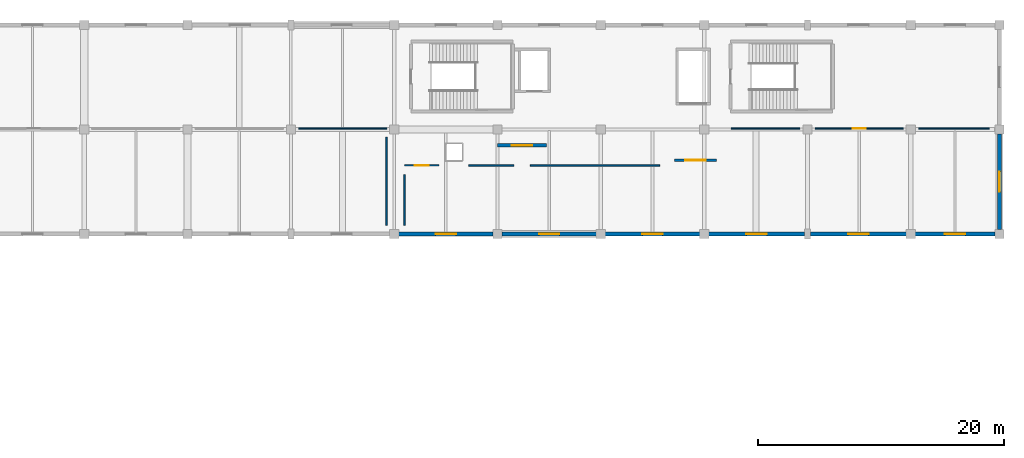
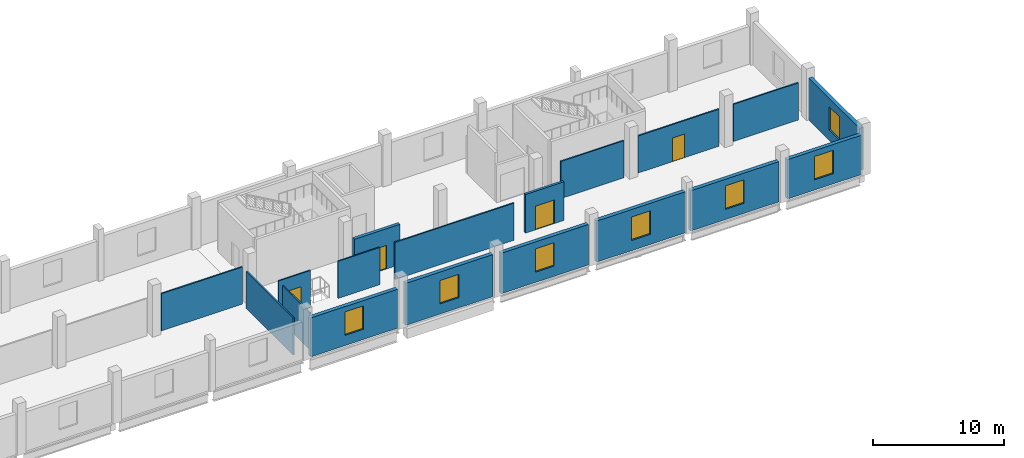
# One storey, part 66 of 77: 18 walls, 7 windows, 4 doors, 11 openings.
"""IFC4 building model written with IfcOpenShell, lengths in metres."""

from ifc_helpers import new_model, si_unit, direction, frame, frame_2d, origin, place, context, subcontext, project, spatial, rectangle, extrude, material, layer, layer_set, type_object, element, fill, save


model = new_model("IFC4")

# Units and contexts
model_context = context("Model", 3, precision=1e-05, world=origin(), true_north=direction((0.0, 1.0)))
body_context = subcontext(model_context, "Body", "Model", "MODEL_VIEW")
ifc_project = project(units=[si_unit("LENGTHUNIT", "METRE"), si_unit("AREAUNIT", "SQUARE_METRE"), si_unit("VOLUMEUNIT", "CUBIC_METRE"), si_unit("PLANEANGLEUNIT", "RADIAN"), si_unit("MASSUNIT", "GRAM", prefix="KILO")], contexts=[model_context])

# Site, building, storey
site_placement = place(None, origin())
site = spatial("IfcSite", under=ifc_project, at=site_placement, CompositionType="ELEMENT")
building_placement = place(site_placement, origin())
building = spatial("IfcBuilding", under=site, at=building_placement, Name="Solvento Point Concert Hall", CompositionType="ELEMENT")
storey_placement = place(building_placement, frame((0.0, 0.0, 10.199951171875)))
storey = spatial("IfcBuildingStorey", under=building, at=storey_placement, Name="L02", CompositionType="ELEMENT", Elevation=10.199951171875)

# Walls
ifc_material_1 = material(Name="Acoustic Double-Stud Gypsum Partition")
ifc_layer_1 = layer(ifc_material_1, 0.1201171875)
ifc_layer_set_1 = layer_set([ifc_layer_1], Name="Acoustic Double-Stud Gypsum Partition")
wall_type_1 = type_object("IfcWallType", Name="AcousticPartition_120", PredefinedType="PARTITIONING", material=ifc_layer_set_1)
wall_1_placement = place(storey_placement, frame((159.02490234375, 127.580078125, 0.0), z_axis=(0.0, 0.0, 1.0), x_axis=(1.0, 0.0, 0.0)))
element("IfcWall", 1, at=wall_1_placement, inside=storey, type_object=wall_type_1, Name="Interior acoustic partition PW-52 L02", PredefinedType="PARTITIONING", context=body_context, shape_type="SweptSolid", body=[
    extrude(rectangle(XDim=7.150146484375, YDim=0.1201171875, at=frame_2d((3.5751953125, 0.0))), origin(), (0.0, 0.0, 1.0), 3.4599609375),
])
wall_2_placement = place(storey_placement, frame((166.179931640625, 126.875, 0.0), z_axis=(0.0, 0.0, 1.0), x_axis=(0.0, -1.0, 0.0)))
element("IfcWall", 2, at=wall_2_placement, inside=storey, type_object=wall_type_1, Name="Interior acoustic partition PW-52 L02", PredefinedType="PARTITIONING", context=body_context, shape_type="SweptSolid", body=[
    extrude(rectangle(XDim=7.175048828125, YDim=0.1201171875, at=frame_2d((3.58740234375, 0.0))), origin(), (0.0, 0.0, 1.0), 3.4599609375),
])

# Wall, opening, door
wall_3_placement = place(storey_placement, frame((167.6201171875, 124.580078125, 0.0), z_axis=(0.0, 0.0, 1.0), x_axis=(1.0, 0.0, 0.0)))
wall_3 = element("IfcWall", 3, at=wall_3_placement, inside=storey, type_object=wall_type_1, Name="Interior acoustic partition PW-52 L02", PredefinedType="PARTITIONING", context=body_context, shape_type="SweptSolid", body=[
    extrude(rectangle(XDim=2.82080078125, YDim=0.1201171875, at=frame_2d((1.410400390625, 0.0))), origin(), (0.0, 0.0, 1.0), 3.4599609375),
])
opening_1_placement = place(wall_3_placement, frame((0.83544921875, 0.0, 0.0)))
opening_1 = element("IfcOpeningElement", 4, at=opening_1_placement, cuts=wall_3, Name="Opening DR-24", PredefinedType="OPENING", context=body_context, shape_type="SweptSolid", body=[
    extrude(rectangle(XDim=1.14990234375, YDim=2.239990234375, at=frame_2d((0.574951171875, 1.1201171875))), frame((0.0, 0.070068359375, 0.0), z_axis=(0.0, -1.0, 0.0), x_axis=(1.0, 0.0, 0.0)), (0.0, 0.0, 1.0), 0.14013671875),
])
ifc_material_2 = material(Name="Brazilian Hardwood Acoustic Door", Category="wood")
door_type_1 = type_object("IfcDoorType", Name="IntDoor_ChorusDressing", OperationType="NOTDEFINED", PredefinedType="DOOR", material=ifc_material_2)
door_1_placement = place(opening_1_placement, origin())
door_1 = element("IfcDoor", 5, at=door_1_placement, inside=storey, type_object=door_type_1, Name="Interior door DR-24 L02", OperationType="SINGLE_SWING_RIGHT", OverallHeight=2.239990234375, OverallWidth=1.14990234375, PredefinedType="DOOR", context=body_context, shape_type="SweptSolid", body=[
    extrude(rectangle(XDim=1.14990234375, YDim=2.239990234375, at=frame_2d((0.574951171875, 1.1201171875))), frame((0.0, 0.02490234375, 0.0), z_axis=(0.0, -1.0, 0.0), x_axis=(1.0, 0.0, 0.0)), (0.0, 0.0, 1.0), 0.050048828125),
])
fill(opening_1, door_1)

# Walls
wall_4_placement = place(storey_placement, frame((172.85888671875, 124.580078125, 0.0), z_axis=(0.0, 0.0, 1.0), x_axis=(1.0, 0.0, 0.0)))
element("IfcWall", 6, at=wall_4_placement, inside=storey, type_object=wall_type_1, Name="Interior acoustic partition PW-52 L02", PredefinedType="PARTITIONING", context=body_context, shape_type="SweptSolid", body=[
    extrude(rectangle(XDim=3.680419921875, YDim=0.1201171875, at=frame_2d((1.84033203125, 0.0))), origin(), (0.0, 0.0, 1.0), 3.4599609375),
])
wall_5_placement = place(storey_placement, frame((177.860595703125, 124.580078125, 0.0), z_axis=(0.0, 0.0, 1.0), x_axis=(1.0, 0.0, 0.0)))
element("IfcWall", 7, at=wall_5_placement, inside=storey, type_object=wall_type_1, Name="Interior acoustic partition PW-52 L02", PredefinedType="PARTITIONING", context=body_context, shape_type="SweptSolid", body=[
    extrude(rectangle(XDim=10.519287109375, YDim=0.1201171875, at=frame_2d((5.259765625, 0.0))), origin(), (0.0, 0.0, 1.0), 3.4599609375),
])
wall_6_placement = place(storey_placement, frame((167.6201171875, 119.699951171875, 0.0), z_axis=(0.0, 0.0, 1.0), x_axis=(0.0, 1.0, 0.0)))
element("IfcWall", 8, at=wall_6_placement, inside=storey, type_object=wall_type_1, Name="Interior acoustic partition PW-52 L02", PredefinedType="PARTITIONING", context=body_context, shape_type="SweptSolid", body=[
    extrude(rectangle(XDim=4.124755859375, YDim=0.1201171875, at=frame_2d((2.0625, 0.0))), origin(), (0.0, 0.0, 1.0), 3.4599609375),
])
wall_7_placement = place(storey_placement, frame((194.219970703125, 127.580078125, 0.0), z_axis=(0.0, 0.0, 1.0), x_axis=(1.0, 0.0, 0.0)))
element("IfcWall", 9, at=wall_7_placement, inside=storey, type_object=wall_type_1, Name="Interior acoustic partition PW-52 L02", PredefinedType="PARTITIONING", context=body_context, shape_type="SweptSolid", body=[
    extrude(rectangle(XDim=5.554931640625, YDim=0.1201171875, at=frame_2d((2.77734375, 0.0))), origin(), (0.0, 0.0, 1.0), 3.4599609375),
])

# Wall, opening, door
wall_8_placement = place(storey_placement, frame((201.02490234375, 127.580078125, 0.0), z_axis=(0.0, 0.0, 1.0), x_axis=(1.0, 0.0, 0.0)))
wall_8 = element("IfcWall", 10, at=wall_8_placement, inside=storey, type_object=wall_type_1, Name="Interior acoustic partition PW-52 L02", PredefinedType="PARTITIONING", context=body_context, shape_type="SweptSolid", body=[
    extrude(rectangle(XDim=7.150146484375, YDim=0.1201171875, at=frame_2d((3.5751953125, 0.0))), origin(), (0.0, 0.0, 1.0), 3.4599609375),
])
opening_2_placement = place(wall_8_placement, frame((3.054931640625, 0.0, 0.0)))
opening_2 = element("IfcOpeningElement", 11, at=opening_2_placement, cuts=wall_8, Name="Opening DR-79", PredefinedType="OPENING", context=body_context, shape_type="SweptSolid", body=[
    extrude(rectangle(XDim=1.0400390625, YDim=2.199951171875, at=frame_2d((0.52001953125, 1.10009765625))), frame((0.0, 0.070068359375, 0.0), z_axis=(0.0, -1.0, 0.0), x_axis=(1.0, 0.0, 0.0)), (0.0, 0.0, 1.0), 0.14013671875),
])
ifc_material_3 = material(Name="Brazilian Hardwood Acoustic Door", Category="wood")
door_type_2 = type_object("IfcDoorType", Name="IntDoor_SoloistSuite", OperationType="NOTDEFINED", PredefinedType="DOOR", material=ifc_material_3)
door_2_placement = place(opening_2_placement, origin())
door_2 = element("IfcDoor", 12, at=door_2_placement, inside=storey, type_object=door_type_2, Name="Interior door DR-79 L02", OperationType="SINGLE_SWING_LEFT", OverallHeight=2.199951171875, OverallWidth=1.0400390625, PredefinedType="DOOR", context=body_context, shape_type="SweptSolid", body=[
    extrude(rectangle(XDim=1.0400390625, YDim=2.199951171875, at=frame_2d((0.52001953125, 1.10009765625))), frame((0.0, 0.02490234375, 0.0), z_axis=(0.0, -1.0, 0.0), x_axis=(1.0, 0.0, 0.0)), (0.0, 0.0, 1.0), 0.050048828125),
])
fill(opening_2, door_2)

# Wall
wall_9_placement = place(storey_placement, frame((209.425048828125, 127.580078125, 0.0), z_axis=(0.0, 0.0, 1.0), x_axis=(1.0, 0.0, 0.0)))
element("IfcWall", 13, at=wall_9_placement, inside=storey, type_object=wall_type_1, Name="Interior acoustic partition PW-52 L02", PredefinedType="PARTITIONING", context=body_context, shape_type="SweptSolid", body=[
    extrude(rectangle(XDim=5.7548828125, YDim=0.1201171875, at=frame_2d((2.87744140625, 0.0))), origin(), (0.0, 0.0, 1.0), 3.4599609375),
])

# Wall, opening, door
ifc_material_4 = material(Name="Acoustic Double-Stud Gypsum Partition")
ifc_layer_2 = layer(ifc_material_4, 0.2080078125)
ifc_layer_set_2 = layer_set([ifc_layer_2], Name="Acoustic Double-Stud Gypsum Partition")
wall_type_2 = type_object("IfcWallType", Name="AcousticPartition_208", PredefinedType="PARTITIONING", material=ifc_layer_set_2)
wall_10_placement = place(storey_placement, frame((189.60009765625, 125.0, 0.0), z_axis=(0.0, 0.0, 1.0), x_axis=(1.0, 0.0, 0.0)))
wall_10 = element("IfcWall", 14, at=wall_10_placement, inside=storey, type_object=wall_type_2, Name="Lift lobby partition LG-02 L02", PredefinedType="PARTITIONING", context=body_context, shape_type="SweptSolid", body=[
    extrude(rectangle(XDim=3.39990234375, YDim=0.2080078125, at=frame_2d((1.699951171875, 0.0))), origin(), (0.0, 0.0, 1.0), 3.59716796875),
])
opening_3_placement = place(wall_10_placement, frame((0.875, 0.0, 0.0)))
opening_3 = element("IfcOpeningElement", 15, at=opening_3_placement, cuts=wall_10, Name="Opening D-FL1", PredefinedType="OPENING", context=body_context, shape_type="SweptSolid", body=[
    extrude(rectangle(XDim=1.64990234375, YDim=2.199951171875, at=frame_2d((0.824951171875, 1.10009765625))), frame((0.0, 0.114013671875, 0.0), z_axis=(0.0, -1.0, 0.0), x_axis=(1.0, 0.0, 0.0)), (0.0, 0.0, 1.0), 0.22802734375),
])
ifc_material_5 = material(Name="Hollow Metal Acoustic Fire Door")
door_type_3 = type_object("IfcDoorType", Name="FireLobbyDoor_1600", OperationType="DOUBLE_DOOR_SINGLE_SWING", PredefinedType="DOOR", material=ifc_material_5)
door_3_placement = place(opening_3_placement, origin())
door_3 = element("IfcDoor", 16, at=door_3_placement, inside=storey, type_object=door_type_3, Name="Lift lobby door LG-02 L02", OperationType="DOUBLE_DOOR_SINGLE_SWING", OverallHeight=2.199951171875, OverallWidth=1.64990234375, PredefinedType="DOOR", context=body_context, shape_type="SweptSolid", body=[
    extrude(rectangle(XDim=1.64990234375, YDim=2.199951171875, at=frame_2d((0.824951171875, 1.10009765625))), frame((0.0, 0.02490234375, 0.0), z_axis=(0.0, -1.0, 0.0), x_axis=(1.0, 0.0, 0.0)), (0.0, 0.0, 1.0), 0.050048828125),
])
fill(opening_3, door_3)

ifc_material_6 = material(Name="Concrete C40/50", Category="concrete")
ifc_layer_3 = layer(ifc_material_6, 0.35009765625)
ifc_layer_set_3 = layer_set([ifc_layer_3], Name="Concrete C40/50")
wall_type_3 = type_object("IfcWallType", Name="CoreShearWall_350", PredefinedType="SHEAR", material=ifc_layer_set_3)
wall_11_placement = place(storey_placement, frame((175.199951171875, 126.199951171875, 0.0), z_axis=(0.0, 0.0, 1.0), x_axis=(1.0, 0.0, 0.0)))
wall_11 = element("IfcWall", 17, at=wall_11_placement, inside=storey, type_object=wall_type_3, Name="Firefighting lift lobby wall LF-01 L02", PredefinedType="SHEAR", context=body_context, shape_type="SweptSolid", body=[
    extrude(rectangle(XDim=4.0, YDim=0.280029296875, at=frame_2d((2.0, 0.0))), origin(), (0.0, 0.0, 1.0), 3.754150390625),
])
opening_4_placement = place(wall_11_placement, frame((1.175048828125, 0.0, 0.0)))
opening_4 = element("IfcOpeningElement", 18, at=opening_4_placement, cuts=wall_11, Name="Opening D-FL1", PredefinedType="OPENING", context=body_context, shape_type="SweptSolid", body=[
    extrude(rectangle(XDim=1.64990234375, YDim=2.199951171875, at=frame_2d((0.824951171875, 1.10009765625))), frame((0.0, 0.14990234375, 0.0), z_axis=(0.0, -1.0, 0.0), x_axis=(1.0, 0.0, 0.0)), (0.0, 0.0, 1.0), 0.300048828125),
])
door_4_placement = place(opening_4_placement, origin())
door_4 = element("IfcDoor", 19, at=door_4_placement, inside=storey, type_object=door_type_3, Name="Firefighting lobby door LF-01 L02", OperationType="DOUBLE_DOOR_SINGLE_SWING", OverallHeight=2.199951171875, OverallWidth=1.64990234375, PredefinedType="DOOR", context=body_context, shape_type="SweptSolid", body=[
    extrude(rectangle(XDim=1.64990234375, YDim=2.199951171875, at=frame_2d((0.824951171875, 1.10009765625))), frame((0.0, 0.02490234375, 0.0), z_axis=(0.0, -1.0, 0.0), x_axis=(1.0, 0.0, 0.0)), (0.0, 0.0, 1.0), 0.050048828125),
])
fill(opening_4, door_4)

# Wall, opening, window
ifc_material_7 = material(Name="Concrete C35/45", Category="concrete")
ifc_layer_4 = layer(ifc_material_7, 0.330078125)
ifc_layer_set_4 = layer_set([ifc_layer_4], Name="Concrete C35/45")
wall_type_4 = type_object("IfcWallType", Name="ExtWall_V5_Plinth_330", PredefinedType="SOLIDWALL", material=ifc_layer_set_4)
wall_12_placement = place(storey_placement, frame((216.0, 127.14501953125, 0.0), z_axis=(0.0, 0.0, 1.0), x_axis=(0.0, -1.0, 0.0)))
wall_12 = element("IfcWall", 20, at=wall_12_placement, inside=storey, type_object=wall_type_4, Name="Exterior architectural concrete wall EW-72 L02", PredefinedType="SOLIDWALL", context=body_context, shape_type="SweptSolid", body=[
    extrude(rectangle(XDim=7.7900390625, YDim=0.330078125, at=frame_2d((3.89501953125, 0.0))), origin(), (0.0, 0.0, 1.0), 3.916015625),
])
opening_5_placement = place(wall_12_placement, frame((3.070068359375, 0.0, 0.949951171875)))
opening_5 = element("IfcOpeningElement", 21, at=opening_5_placement, cuts=wall_12, Name="Opening WN-22", PredefinedType="OPENING", context=body_context, shape_type="SweptSolid", body=[
    extrude(rectangle(XDim=1.64990234375, YDim=2.179931640625, at=frame_2d((0.824951171875, 1.08984375))), frame((0.0, 0.175048828125, 0.0), z_axis=(0.0, -1.0, 0.0), x_axis=(1.0, 0.0, 0.0)), (0.0, 0.0, 1.0), 0.35009765625),
])
ifc_material_8 = material(Name="Hurricane Laminated Low-E Glass", Category="glass")
window_type = type_object("IfcWindowType", Name="Win_V5_ChorusDress_L02", PartitioningType="SINGLE_PANEL", PredefinedType="WINDOW", material=ifc_material_8)
window_1_placement = place(opening_5_placement, origin())
window_1 = element("IfcWindow", 22, at=window_1_placement, inside=storey, type_object=window_type, Name="Impact acoustic window WN-22", OverallHeight=2.179931640625, OverallWidth=1.64990234375, PartitioningType="SINGLE_PANEL", PredefinedType="WINDOW", context=body_context, shape_type="SweptSolid", body=[
    extrude(rectangle(XDim=1.64990234375, YDim=2.179931640625, at=frame_2d((0.824951171875, 1.08984375))), frame((0.0, 0.030029296875, 0.0), z_axis=(0.0, -1.0, 0.0), x_axis=(1.0, 0.0, 0.0)), (0.0, 0.0, 1.0), 0.06005859375),
])
fill(opening_5, window_1)

wall_13_placement = place(storey_placement, frame((174.844970703125, 119.0, 0.0), z_axis=(0.0, 0.0, 1.0), x_axis=(-1.0, 0.0, 0.0)))
wall_13 = element("IfcWall", 23, at=wall_13_placement, inside=storey, type_object=wall_type_4, Name="Exterior architectural concrete wall EW-72 L02", PredefinedType="SOLIDWALL", context=body_context, shape_type="SweptSolid", body=[
    extrude(rectangle(XDim=7.68994140625, YDim=0.330078125, at=frame_2d((3.844970703125, 0.0))), origin(), (0.0, 0.0, 1.0), 3.6240234375),
])
opening_6_placement = place(wall_13_placement, frame((3.02001953125, 0.0, 0.949951171875)))
opening_6 = element("IfcOpeningElement", 24, at=opening_6_placement, cuts=wall_13, Name="Opening WN-22", PredefinedType="OPENING", context=body_context, shape_type="SweptSolid", body=[
    extrude(rectangle(XDim=1.64990234375, YDim=2.179931640625, at=frame_2d((0.824951171875, 1.08984375))), frame((0.0, 0.175048828125, 0.0), z_axis=(0.0, -1.0, 0.0), x_axis=(1.0, 0.0, 0.0)), (0.0, 0.0, 1.0), 0.35009765625),
])
window_2_placement = place(opening_6_placement, origin())
window_2 = element("IfcWindow", 25, at=window_2_placement, inside=storey, type_object=window_type, Name="Impact acoustic window WN-22", OverallHeight=2.179931640625, OverallWidth=1.64990234375, PartitioningType="SINGLE_PANEL", PredefinedType="WINDOW", context=body_context, shape_type="SweptSolid", body=[
    extrude(rectangle(XDim=1.64990234375, YDim=2.179931640625, at=frame_2d((0.824951171875, 1.08984375))), frame((0.0, 0.030029296875, 0.0), z_axis=(0.0, -1.0, 0.0), x_axis=(1.0, 0.0, 0.0)), (0.0, 0.0, 1.0), 0.06005859375),
])
fill(opening_6, window_2)

wall_14_placement = place(storey_placement, frame((183.2451171875, 119.0, 0.0), z_axis=(0.0, 0.0, 1.0), x_axis=(-1.0, 0.0, 0.0)))
wall_14 = element("IfcWall", 26, at=wall_14_placement, inside=storey, type_object=wall_type_4, Name="Exterior architectural concrete wall EW-72 L02", PredefinedType="SOLIDWALL", context=body_context, shape_type="SweptSolid", body=[
    extrude(rectangle(XDim=7.690185546875, YDim=0.330078125, at=frame_2d((3.84521484375, 0.0))), origin(), (0.0, 0.0, 1.0), 3.916015625),
])
opening_7_placement = place(wall_14_placement, frame((3.02001953125, 0.0, 0.949951171875)))
opening_7 = element("IfcOpeningElement", 27, at=opening_7_placement, cuts=wall_14, Name="Opening WN-22", PredefinedType="OPENING", context=body_context, shape_type="SweptSolid", body=[
    extrude(rectangle(XDim=1.64990234375, YDim=2.179931640625, at=frame_2d((0.824951171875, 1.08984375))), frame((0.0, 0.175048828125, 0.0), z_axis=(0.0, -1.0, 0.0), x_axis=(1.0, 0.0, 0.0)), (0.0, 0.0, 1.0), 0.35009765625),
])
window_3_placement = place(opening_7_placement, origin())
window_3 = element("IfcWindow", 28, at=window_3_placement, inside=storey, type_object=window_type, Name="Impact acoustic window WN-22", OverallHeight=2.179931640625, OverallWidth=1.64990234375, PartitioningType="SINGLE_PANEL", PredefinedType="WINDOW", context=body_context, shape_type="SweptSolid", body=[
    extrude(rectangle(XDim=1.64990234375, YDim=2.179931640625, at=frame_2d((0.824951171875, 1.08984375))), frame((0.0, 0.030029296875, 0.0), z_axis=(0.0, -1.0, 0.0), x_axis=(1.0, 0.0, 0.0)), (0.0, 0.0, 1.0), 0.06005859375),
])
fill(opening_7, window_3)

wall_15_placement = place(storey_placement, frame((191.64501953125, 119.0, 0.0), z_axis=(0.0, 0.0, 1.0), x_axis=(-1.0, 0.0, 0.0)))
wall_15 = element("IfcWall", 29, at=wall_15_placement, inside=storey, type_object=wall_type_4, Name="Exterior architectural concrete wall EW-72 L02", PredefinedType="SOLIDWALL", context=body_context, shape_type="SweptSolid", body=[
    extrude(rectangle(XDim=7.68994140625, YDim=0.330078125, at=frame_2d((3.844970703125, 0.0))), origin(), (0.0, 0.0, 1.0), 3.774169921875),
])
opening_8_placement = place(wall_15_placement, frame((3.02001953125, 0.0, 0.949951171875)))
opening_8 = element("IfcOpeningElement", 30, at=opening_8_placement, cuts=wall_15, Name="Opening WN-22", PredefinedType="OPENING", context=body_context, shape_type="SweptSolid", body=[
    extrude(rectangle(XDim=1.64990234375, YDim=2.179931640625, at=frame_2d((0.824951171875, 1.08984375))), frame((0.0, 0.175048828125, 0.0), z_axis=(0.0, -1.0, 0.0), x_axis=(1.0, 0.0, 0.0)), (0.0, 0.0, 1.0), 0.35009765625),
])
window_4_placement = place(opening_8_placement, origin())
window_4 = element("IfcWindow", 31, at=window_4_placement, inside=storey, type_object=window_type, Name="Impact acoustic window WN-22", OverallHeight=2.179931640625, OverallWidth=1.64990234375, PartitioningType="SINGLE_PANEL", PredefinedType="WINDOW", context=body_context, shape_type="SweptSolid", body=[
    extrude(rectangle(XDim=1.64990234375, YDim=2.179931640625, at=frame_2d((0.824951171875, 1.08984375))), frame((0.0, 0.030029296875, 0.0), z_axis=(0.0, -1.0, 0.0), x_axis=(1.0, 0.0, 0.0)), (0.0, 0.0, 1.0), 0.06005859375),
])
fill(opening_8, window_4)

wall_16_placement = place(storey_placement, frame((200.169921875, 119.0, 0.0), z_axis=(0.0, 0.0, 1.0), x_axis=(-1.0, 0.0, 0.0)))
wall_16 = element("IfcWall", 32, at=wall_16_placement, inside=storey, type_object=wall_type_4, Name="Exterior architectural concrete wall EW-72 L02", PredefinedType="SOLIDWALL", context=body_context, shape_type="SweptSolid", body=[
    extrude(rectangle(XDim=7.81494140625, YDim=0.330078125, at=frame_2d((3.907470703125, 0.0))), origin(), (0.0, 0.0, 1.0), 3.8310546875),
])
opening_9_placement = place(wall_16_placement, frame((3.08251953125, 0.0, 0.949951171875)))
opening_9 = element("IfcOpeningElement", 33, at=opening_9_placement, cuts=wall_16, Name="Opening WN-22", PredefinedType="OPENING", context=body_context, shape_type="SweptSolid", body=[
    extrude(rectangle(XDim=1.64990234375, YDim=2.179931640625, at=frame_2d((0.824951171875, 1.08984375))), frame((0.0, 0.175048828125, 0.0), z_axis=(0.0, -1.0, 0.0), x_axis=(1.0, 0.0, 0.0)), (0.0, 0.0, 1.0), 0.35009765625),
])
window_5_placement = place(opening_9_placement, origin())
window_5 = element("IfcWindow", 34, at=window_5_placement, inside=storey, type_object=window_type, Name="Impact acoustic window WN-22", OverallHeight=2.179931640625, OverallWidth=1.64990234375, PartitioningType="SINGLE_PANEL", PredefinedType="WINDOW", context=body_context, shape_type="SweptSolid", body=[
    extrude(rectangle(XDim=1.64990234375, YDim=2.179931640625, at=frame_2d((0.824951171875, 1.08984375))), frame((0.0, 0.030029296875, 0.0), z_axis=(0.0, -1.0, 0.0), x_axis=(1.0, 0.0, 0.0)), (0.0, 0.0, 1.0), 0.06005859375),
])
fill(opening_9, window_5)

wall_17_placement = place(storey_placement, frame((208.445068359375, 119.0, 0.0), z_axis=(0.0, 0.0, 1.0), x_axis=(-1.0, 0.0, 0.0)))
wall_17 = element("IfcWall", 35, at=wall_17_placement, inside=storey, type_object=wall_type_4, Name="Exterior architectural concrete wall EW-72 L02", PredefinedType="SOLIDWALL", context=body_context, shape_type="SweptSolid", body=[
    extrude(rectangle(XDim=7.815185546875, YDim=0.330078125, at=frame_2d((3.90771484375, 0.0))), origin(), (0.0, 0.0, 1.0), 3.754150390625),
])
opening_10_placement = place(wall_17_placement, frame((3.08251953125, 0.0, 0.949951171875)))
opening_10 = element("IfcOpeningElement", 36, at=opening_10_placement, cuts=wall_17, Name="Opening WN-22", PredefinedType="OPENING", context=body_context, shape_type="SweptSolid", body=[
    extrude(rectangle(XDim=1.64990234375, YDim=2.179931640625, at=frame_2d((0.824951171875, 1.08984375))), frame((0.0, 0.175048828125, 0.0), z_axis=(0.0, -1.0, 0.0), x_axis=(1.0, 0.0, 0.0)), (0.0, 0.0, 1.0), 0.35009765625),
])
window_6_placement = place(opening_10_placement, origin())
window_6 = element("IfcWindow", 37, at=window_6_placement, inside=storey, type_object=window_type, Name="Impact acoustic window WN-22", OverallHeight=2.179931640625, OverallWidth=1.64990234375, PartitioningType="SINGLE_PANEL", PredefinedType="WINDOW", context=body_context, shape_type="SweptSolid", body=[
    extrude(rectangle(XDim=1.64990234375, YDim=2.179931640625, at=frame_2d((0.824951171875, 1.08984375))), frame((0.0, 0.030029296875, 0.0), z_axis=(0.0, -1.0, 0.0), x_axis=(1.0, 0.0, 0.0)), (0.0, 0.0, 1.0), 0.06005859375),
])
fill(opening_10, window_6)

wall_18_placement = place(storey_placement, frame((215.64501953125, 119.0, 0.0), z_axis=(0.0, 0.0, 1.0), x_axis=(-1.0, 0.0, 0.0)))
wall_18 = element("IfcWall", 38, at=wall_18_placement, inside=storey, type_object=wall_type_4, Name="Exterior architectural concrete wall EW-72 L02", PredefinedType="SOLIDWALL", context=body_context, shape_type="SweptSolid", body=[
    extrude(rectangle(XDim=6.489990234375, YDim=0.330078125, at=frame_2d((3.2451171875, 0.0))), origin(), (0.0, 0.0, 1.0), 3.6650390625),
])
opening_11_placement = place(wall_18_placement, frame((2.419921875, 0.0, 0.949951171875)))
opening_11 = element("IfcOpeningElement", 39, at=opening_11_placement, cuts=wall_18, Name="Opening WN-22", PredefinedType="OPENING", context=body_context, shape_type="SweptSolid", body=[
    extrude(rectangle(XDim=1.64990234375, YDim=2.179931640625, at=frame_2d((0.824951171875, 1.08984375))), frame((0.0, 0.175048828125, 0.0), z_axis=(0.0, -1.0, 0.0), x_axis=(1.0, 0.0, 0.0)), (0.0, 0.0, 1.0), 0.35009765625),
])
window_7_placement = place(opening_11_placement, origin())
window_7 = element("IfcWindow", 40, at=window_7_placement, inside=storey, type_object=window_type, Name="Impact acoustic window WN-22", OverallHeight=2.179931640625, OverallWidth=1.64990234375, PartitioningType="SINGLE_PANEL", PredefinedType="WINDOW", context=body_context, shape_type="SweptSolid", body=[
    extrude(rectangle(XDim=1.64990234375, YDim=2.179931640625, at=frame_2d((0.824951171875, 1.08984375))), frame((0.0, 0.030029296875, 0.0), z_axis=(0.0, -1.0, 0.0), x_axis=(1.0, 0.0, 0.0)), (0.0, 0.0, 1.0), 0.06005859375),
])
fill(opening_11, window_7)

save(model, "model.ifc")
